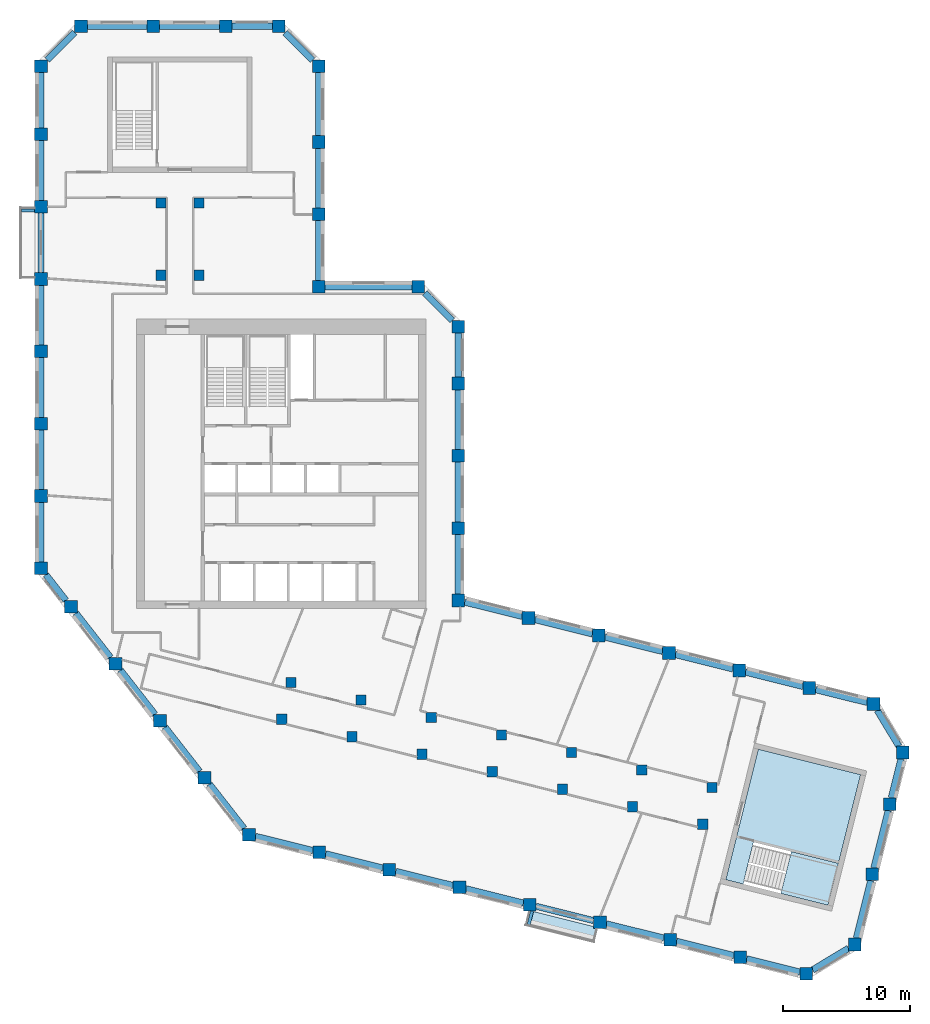
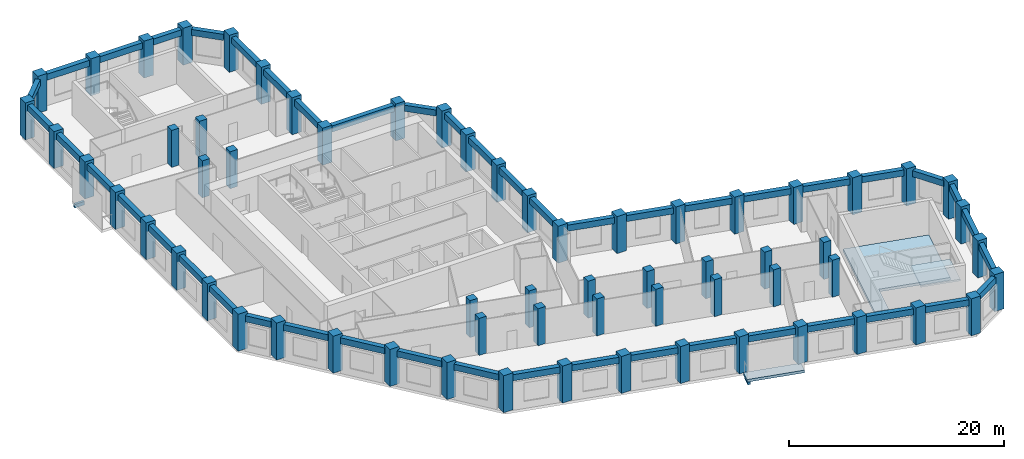
# One storey, part 1 of 9: 63 columns, 47 beams, 3 slabs, 1 element without a shape of its own.
"""IFC4 building model written with IfcOpenShell, lengths in metres."""

from ifc_helpers import new_model, si_unit, direction, frame, origin, origin_2d, place, context, subcontext, project, spatial, polyline, rectangle, outline, extrude, material, layer, layer_set, material_profile, profile_set, type_object, element, aggregate, save


model = new_model("IFC4")

# Units and contexts
model_context = context("Model", 3, precision=1e-05, world=origin(), true_north=direction((0.0, 1.0)))
body_context = subcontext(model_context, "Body", "Model", "MODEL_VIEW")
ifc_project = project(units=[si_unit("LENGTHUNIT", "METRE"), si_unit("AREAUNIT", "SQUARE_METRE"), si_unit("VOLUMEUNIT", "CUBIC_METRE"), si_unit("PLANEANGLEUNIT", "RADIAN"), si_unit("MASSUNIT", "GRAM", prefix="KILO")], contexts=[model_context])

# Site, building, storey
site_placement = place(None, origin())
site = spatial("IfcSite", under=ifc_project, at=site_placement, CompositionType="ELEMENT")
building_placement = place(site_placement, origin())
building = spatial("IfcBuilding", under=site, at=building_placement, Name="Meshkara Civic Tower", CompositionType="ELEMENT")
storey_placement = place(building_placement, frame((0.0, 0.0, 310.800048828125)))
storey = spatial("IfcBuildingStorey", under=building, at=storey_placement, Name="L71", CompositionType="ELEMENT", Elevation=310.800048828125)

# Columns
ifc_material_1 = material(Name="Concrete C60", Category="concrete")
ifc_material_profile_1 = material_profile(ifc_material_1, rectangle(XDim=0.800048828125, YDim=0.800048828125, at=origin_2d()))
ifc_profile_set_1 = profile_set([ifc_material_profile_1], Name="Concrete C60")
column_type_1 = type_object("IfcColumnType", Name="Interior column RC 800x800 C60", PredefinedType="COLUMN", material=ifc_profile_set_1)
for number, where, z_axis, x_axis, name in (
    (1, (9.89990234375, 40.35009765625, 0.0), (0.0, 0.0, 1.0), (1.0, 0.0, 0.0), "Column SA1-04 L71"),
    (2, (9.89990234375, 46.050048828125, 0.0), (0.0, 0.0, 1.0), (1.0, 0.0, 0.0), "Column SA1-05 L71"),
    (3, (12.89990234375, 40.35009765625, 0.0), (0.0, 0.0, 1.0), (1.0, 0.0, 0.0), "Column SA2-04 L71"),
    (4, (12.89990234375, 46.050048828125, 0.0), (0.0, 0.0, 1.0), (1.0, 0.0, 0.0), "Column SA2-05 L71"),
    (5, (19.424072265625, 5.360107421875, 0.0), (0.0, 0.0, 1.0), (1.0, 0.0, 0.0), "Column SB1-00 L71"),
    (6, (24.9541015625, 3.98095703125, 0.0), (0.0, 0.0, 1.0), (1.0, 0.0, 0.0), "Column SB1-01 L71"),
    (7, (30.485107421875, 2.60205078125, 0.0), (0.0, 0.0, 1.0), (1.0, 0.0, 0.0), "Column SB1-02 L71"),
    (8, (36.01611328125, 1.222900390625, 0.0), (0.0, 0.0, 1.0), (1.0, 0.0, 0.0), "Column SB1-03 L71"),
    (9, (41.5458984375, -0.156005859375, 0.0), (0.0, 0.0, 1.0), (1.0, 0.0, 0.0), "Column SB1-04 L71"),
    (10, (47.076904296875, -1.534912109375, 0.0), (0.0, 0.0, 1.0), (1.0, 0.0, 0.0), "Column SB1-05 L71"),
    (11, (52.60791015625, -2.9140625, 0.0), (0.0, 0.0, 1.0), (1.0, 0.0, 0.0), "Column SB1-06 L71"),
    (12, (20.14892578125, 8.27099609375, 0.0), (0.0, 0.0, 1.0), (1.0, 0.0, 0.0), "Column SB2-00 L71"),
    (13, (25.679931640625, 6.89208984375, 0.0), (0.0, 0.0, 1.0), (1.0, 0.0, 0.0), "Column SB2-01 L71"),
    (14, (31.2109375, 5.512939453125, 0.0), (0.0, 0.0, 1.0), (1.0, 0.0, 0.0), "Column SB2-02 L71"),
    (15, (36.741943359375, 4.134033203125, 0.0), (0.0, 0.0, 1.0), (1.0, 0.0, 0.0), "Column SB2-03 L71"),
    (16, (42.27197265625, 2.7548828125, 0.0), (0.0, 0.0, 1.0), (1.0, 0.0, 0.0), "Column SB2-04 L71"),
    (17, (47.802978515625, 1.3759765625, 0.0), (0.0, 0.0, 1.0), (1.0, 0.0, 0.0), "Column SB2-05 L71"),
    (18, (53.333984375, -0.0029296875, 0.0), (0.0, 0.0, 1.0), (1.0, 0.0, 0.0), "Column SB2-06 L71"),
):
    element("IfcColumn", number, at=place(storey_placement, frame(where, z_axis=z_axis, x_axis=x_axis)), inside=storey, type_object=column_type_1, Name=name, PredefinedType="COLUMN", context=body_context, shape_type="SweptSolid", body=[
        extrude(rectangle(XDim=0.800048828125, YDim=0.800048828125, at=origin_2d()), origin(), (0.0, 0.0, 1.0), 4.199951171875),
    ])
ifc_material_2 = material(Name="Concrete C60", Category="concrete")
ifc_material_profile_2 = material_profile(ifc_material_2, rectangle(XDim=1.0, YDim=1.0, at=origin_2d()))
ifc_profile_set_2 = profile_set([ifc_material_profile_2], Name="Concrete C60")
column_type_2 = type_object("IfcColumnType", Name="Perimeter column RC 1000x1000 C60", PredefinedType="COLUMN", material=ifc_profile_set_2)
for number, where, z_axis, x_axis, name in (
    (19, (33.35009765625, 14.718994140625, 0.0), (0.0, 0.0, 1.0), (1.0, 0.0, 0.0), "Column HE00 L71"),
    (20, (33.35009765625, 20.4189453125, 0.0), (0.0, 0.0, 1.0), (1.0, 0.0, 0.0), "Column HE01 L71"),
    (21, (33.35009765625, 26.118896484375, 0.0), (0.0, 0.0, 1.0), (1.0, 0.0, 0.0), "Column HE02 L71"),
    (22, (33.35009765625, 31.819091796875, 0.0), (0.0, 0.0, 1.0), (1.0, 0.0, 0.0), "Column HE03 L71"),
    (23, (33.35009765625, 36.2939453125, 0.0), (0.0, 0.0, 1.0), (1.0, 0.0, 0.0), "Column HEE L71"),
    (24, (30.194091796875, 39.449951171875, 0.0), (0.0, 0.0, 1.0), (1.0, 0.0, 0.0), "Column HCeE L71"),
    (25, (22.35009765625, 39.449951171875, 0.0), (0.0, 0.0, 1.0), (1.0, 0.0, 0.0), "Column HN00 L71"),
    (26, (22.35009765625, 45.14990234375, 0.0), (0.0, 0.0, 1.0), (1.0, 0.0, 0.0), "Column AE01 L71"),
    (27, (22.35009765625, 50.85009765625, 0.0), (0.0, 0.0, 1.0), (1.0, 0.0, 0.0), "Column AE02 L71"),
    (28, (22.35009765625, 56.81396484375, 0.0), (0.0, 0.0, 1.0), (1.0, 0.0, 0.0), "Column AEEP4 L71"),
    (29, (19.194091796875, 59.969970703125, 0.0), (0.0, 0.0, 1.0), (1.0, 0.0, 0.0), "Column ATiEP4 L71"),
    (30, (3.60595703125, 59.969970703125, 0.0), (0.0, 0.0, 1.0), (1.0, 0.0, 0.0), "Column AT00-P4 L71"),
    (31, (9.305908203125, 59.969970703125, 0.0), (0.0, 0.0, 1.0), (1.0, 0.0, 0.0), "Column AT01-P4 L71"),
    (32, (15.006103515625, 59.969970703125, 0.0), (0.0, 0.0, 1.0), (1.0, 0.0, 0.0), "Column AT02-P4 L71"),
    (33, (0.449951171875, 56.81396484375, 0.0), (0.0, 0.0, 1.0), (1.0, 0.0, 0.0), "Column ATo00-P4 L71"),
    (34, (0.449951171875, 17.2548828125, 0.0), (0.0, 0.0, 1.0), (1.0, 0.0, 0.0), "Column AW00 L71"),
    (35, (0.449951171875, 22.955078125, 0.0), (0.0, 0.0, 1.0), (1.0, 0.0, 0.0), "Column AW01 L71"),
    (36, (0.449951171875, 28.655029296875, 0.0), (0.0, 0.0, 1.0), (1.0, 0.0, 0.0), "Column AW02 L71"),
    (37, (0.449951171875, 34.35498046875, 0.0), (0.0, 0.0, 1.0), (1.0, 0.0, 0.0), "Column AW03 L71"),
    (38, (0.449951171875, 40.054931640625, 0.0), (0.0, 0.0, 1.0), (1.0, 0.0, 0.0), "Column AW04 L71"),
    (39, (0.449951171875, 45.7548828125, 0.0), (0.0, 0.0, 1.0), (1.0, 0.0, 0.0), "Column AW05 L71"),
    (40, (0.449951171875, 51.455078125, 0.0), (0.0, 0.0, 1.0), (1.0, 0.0, 0.0), "Column AW06 L71"),
    (41, (16.85107421875, -3.738037109375, 0.0), (0.0, 0.0, 1.0), (1.0, 0.0, 0.0), "Column BOW00 L71"),
    (42, (13.342041015625, 0.75390625, 0.0), (0.0, 0.0, 1.0), (1.0, 0.0, 0.0), "Column BOW01 L71"),
    (43, (9.8330078125, 5.2451171875, 0.0), (0.0, 0.0, 1.0), (1.0, 0.0, 0.0), "Column BOW02 L71"),
    (44, (6.322998046875, 9.737060546875, 0.0), (0.0, 0.0, 1.0), (1.0, 0.0, 0.0), "Column BOW03 L71"),
    (45, (2.81396484375, 14.22900390625, 0.0), (0.0, 0.0, 1.0), (1.0, 0.0, 0.0), "Column BOW04 L71"),
    (46, (22.382080078125, -5.116943359375, 0.0), (0.0, 0.0, 1.0), (1.0, 0.0, 0.0), "Column BS01 L71"),
    (47, (27.912109375, -6.49609375, 0.0), (0.0, 0.0, 1.0), (1.0, 0.0, 0.0), "Column BS02 L71"),
    (48, (33.443115234375, -7.875, 0.0), (0.0, 0.0, 1.0), (1.0, 0.0, 0.0), "Column BS03 L71"),
    (49, (38.97412109375, -9.25390625, 0.0), (0.0, 0.0, 1.0), (1.0, 0.0, 0.0), "Column BS04 L71"),
    (50, (44.50390625, -10.633056640625, 0.0), (0.0, 0.0, 1.0), (1.0, 0.0, 0.0), "Column BS05-P4 L71"),
    (51, (50.034912109375, -12.011962890625, 0.0), (0.0, 0.0, 1.0), (1.0, 0.0, 0.0), "Column BS06-P4 L71"),
    (52, (55.56591796875, -13.389892578125, 0.0), (0.0, 0.0, 1.0), (1.0, 0.0, 0.0), "Column BS07 L71"),
    (53, (60.76611328125, -14.68701171875, 0.0), (0.0, 0.0, 1.0), (1.0, 0.0, 0.0), "Column BSEP4 L71"),
    (54, (64.591064453125, -12.386962890625, 0.0), (0.0, 0.0, 1.0), (1.0, 0.0, 0.0), "Column BToEP4 L71"),
    (55, (65.969970703125, -6.85595703125, 0.0), (0.0, 0.0, 1.0), (1.0, 0.0, 0.0), "Column BT01-P4 L71"),
    (56, (67.34912109375, -1.325927734375, 0.0), (0.0, 0.0, 1.0), (1.0, 0.0, 0.0), "Column BT02-P4 L71"),
    (57, (68.362060546875, 2.736083984375, 0.0), (0.0, 0.0, 1.0), (1.0, 0.0, 0.0), "Column BTEP4 L71"),
    (58, (66.06298828125, 6.56201171875, 0.0), (0.0, 0.0, 1.0), (1.0, 0.0, 0.0), "Column BTi00-P4 L71"),
    (59, (38.881103515625, 13.340087890625, 0.0), (0.0, 0.0, 1.0), (1.0, 0.0, 0.0), "Column BN01 L71"),
    (60, (44.410888671875, 11.9609375, 0.0), (0.0, 0.0, 1.0), (1.0, 0.0, 0.0), "Column BN02 L71"),
    (61, (49.94189453125, 10.58203125, 0.0), (0.0, 0.0, 1.0), (1.0, 0.0, 0.0), "Column BN03 L71"),
    (62, (55.472900390625, 9.202880859375, 0.0), (0.0, 0.0, 1.0), (1.0, 0.0, 0.0), "Column BN04 L71"),
    (63, (61.0029296875, 7.823974609375, 0.0), (0.0, 0.0, 1.0), (1.0, 0.0, 0.0), "Column BN05 L71"),
):
    element("IfcColumn", number, at=place(storey_placement, frame(where, z_axis=z_axis, x_axis=x_axis)), inside=storey, type_object=column_type_2, Name=name, PredefinedType="COLUMN", context=body_context, shape_type="SweptSolid", body=[
        extrude(rectangle(XDim=1.0, YDim=1.0, at=origin_2d()), origin(), (0.0, 0.0, 1.0), 4.199951171875),
    ])

# Beams
ifc_material_3 = material(Name="Concrete C50", Category="concrete")
ifc_material_profile_3 = material_profile(ifc_material_3, rectangle(XDim=0.25, YDim=0.39990234375, at=origin_2d()))
ifc_profile_set_3 = profile_set([ifc_material_profile_3], Name="Concrete C50")
beam_type_1 = type_object("IfcBeamType", Name="Balcony bracket beam RC 250x400 C50", PredefinedType="BEAM", material=ifc_profile_set_3)
beam_1_placement = place(storey_placement, frame((-0.044921875, 45.455078125, -0.5), z_axis=(-1.0, 0.0, 0.0), x_axis=(0.0, -1.0, 0.0)))
element("IfcBeam", 64, at=beam_1_placement, inside=storey, type_object=beam_type_1, Name="Balcony bracket beam", PredefinedType="BEAM", context=body_context, shape_type="SweptSolid", body=[
    extrude(rectangle(XDim=0.25, YDim=0.39990234375, at=origin_2d()), origin(), (0.0, 0.0, 1.0), 1.05517578125),
])
beam_2_placement = place(storey_placement, frame((39.159912109375, -9.7490234375, -0.5), z_axis=(-0.242329403705, -0.970194032192, 0.0), x_axis=(0.970194032192, -0.242329403705, 0.0)))
element("IfcBeam", 65, at=beam_2_placement, inside=storey, type_object=beam_type_1, Name="Balcony bracket beam", PredefinedType="BEAM", context=body_context, shape_type="SweptSolid", body=[
    extrude(rectangle(XDim=0.25, YDim=0.39990234375, at=origin_2d()), origin(), (0.0, 0.0, 1.0), 1.1142578125),
])
ifc_material_4 = material(Name="Concrete C50", Category="concrete")
ifc_material_profile_4 = material_profile(ifc_material_4, rectangle(XDim=0.5, YDim=0.699951171875, at=origin_2d()))
ifc_profile_set_4 = profile_set([ifc_material_profile_4], Name="Concrete C50")
beam_type_2 = type_object("IfcBeamType", Name="Spandrel beam RC 500x700 C50", PredefinedType="BEAM", material=ifc_profile_set_4)
beam_3_placement = place(storey_placement, frame((60.5078125, 7.947509765625, 3.550048828125), z_axis=(-0.970286590806, 0.241958533023, 0.0), x_axis=(-0.241958533023, -0.970286590806, 0.0)))
element("IfcBeam", 66, at=beam_3_placement, inside=storey, type_object=beam_type_2, Name="Spandrel beam BN04-BN05", PredefinedType="BEAM", context=body_context, shape_type="SweptSolid", body=[
    extrude(rectangle(XDim=0.5, YDim=0.699951171875, at=origin_2d()), origin(), (0.0, 0.0, 1.0), 4.6787109375),
])
beam_4_placement = place(storey_placement, frame((54.977783203125, 9.326416015625, 3.550048828125), z_axis=(-0.970298806378, 0.241909541651, 0.0), x_axis=(-0.241909541651, -0.970298806378, 0.0)))
element("IfcBeam", 67, at=beam_4_placement, inside=storey, type_object=beam_type_2, Name="Spandrel beam BN03-BN04", PredefinedType="BEAM", context=body_context, shape_type="SweptSolid", body=[
    extrude(rectangle(XDim=0.5, YDim=0.699951171875, at=origin_2d()), origin(), (0.0, 0.0, 1.0), 4.6796875),
])
beam_5_placement = place(storey_placement, frame((49.447021484375, 10.70556640625, 3.550048828125), z_axis=(-0.970314102262, 0.241848181618, 0.0), x_axis=(-0.241848181618, -0.970314102262, 0.0)))
element("IfcBeam", 68, at=beam_5_placement, inside=storey, type_object=beam_type_2, Name="Spandrel beam BN02-BN03", PredefinedType="BEAM", context=body_context, shape_type="SweptSolid", body=[
    extrude(rectangle(XDim=0.5, YDim=0.699951171875, at=origin_2d()), origin(), (0.0, 0.0, 1.0), 4.679931640625),
])
beam_6_placement = place(storey_placement, frame((43.916015625, 12.08447265625, 3.550048828125), z_axis=(-0.970286590806, 0.241958533023, 0.0), x_axis=(-0.241958533023, -0.970286590806, 0.0)))
element("IfcBeam", 69, at=beam_6_placement, inside=storey, type_object=beam_type_2, Name="Spandrel beam BN01-BN02", PredefinedType="BEAM", context=body_context, shape_type="SweptSolid", body=[
    extrude(rectangle(XDim=0.5, YDim=0.699951171875, at=origin_2d()), origin(), (0.0, 0.0, 1.0), 4.6787109375),
])
beam_7_placement = place(storey_placement, frame((38.385986328125, 13.46337890625, 3.550048828125), z_axis=(-0.970298806378, 0.241909541651, 0.0), x_axis=(-0.241909541651, -0.970298806378, 0.0)))
element("IfcBeam", 70, at=beam_7_placement, inside=storey, type_object=beam_type_2, Name="Spandrel beam BN01-HE00", PredefinedType="BEAM", context=body_context, shape_type="SweptSolid", body=[
    extrude(rectangle(XDim=0.5, YDim=0.699951171875, at=origin_2d()), origin(), (0.0, 0.0, 1.0), 4.6796875),
])
for number, where, z_axis, x_axis, name in (
    (71, (33.35009765625, 15.214111328125, 3.550048828125), (0.0, 1.0, 0.0), (-1.0, 0.0, 0.0), "Spandrel beam HE00-HE01"),
    (72, (33.35009765625, 20.9140625, 3.550048828125), (0.0, 1.0, 0.0), (-1.0, 0.0, 0.0), "Spandrel beam HE01-HE02"),
    (73, (33.35009765625, 26.614013671875, 3.550048828125), (0.0, 1.0, 0.0), (-1.0, 0.0, 0.0), "Spandrel beam HE02-HE03"),
):
    element("IfcBeam", number, at=place(storey_placement, frame(where, z_axis=z_axis, x_axis=x_axis)), inside=storey, type_object=beam_type_2, Name=name, PredefinedType="BEAM", context=body_context, shape_type="SweptSolid", body=[
        extrude(rectangle(XDim=0.5, YDim=0.699951171875, at=origin_2d()), origin(), (0.0, 0.0, 1.0), 4.7099609375),
    ])
beam_8_placement = place(storey_placement, frame((33.35009765625, 32.31396484375, 3.550048828125), z_axis=(0.0, 1.0, 0.0), x_axis=(-1.0, 0.0, 0.0)))
element("IfcBeam", 74, at=beam_8_placement, inside=storey, type_object=beam_type_2, Name="Spandrel beam HE03-HEE", PredefinedType="BEAM", context=body_context, shape_type="SweptSolid", body=[
    extrude(rectangle(XDim=0.5, YDim=0.699951171875, at=origin_2d()), origin(), (0.0, 0.0, 1.0), 3.485107421875),
])
beam_9_placement = place(storey_placement, frame((32.853515625, 36.79052734375, 3.550048828125), z_axis=(-0.707106781187, 0.707106781187, 0.0), x_axis=(-0.707106781187, -0.707106781187, 0.0)))
element("IfcBeam", 75, at=beam_9_placement, inside=storey, type_object=beam_type_2, Name="Spandrel beam HCeE-HEE", PredefinedType="BEAM", context=body_context, shape_type="SweptSolid", body=[
    extrude(rectangle(XDim=0.5, YDim=0.699951171875, at=origin_2d()), origin(), (0.0, 0.0, 1.0), 3.05908203125),
])
beam_10_placement = place(storey_placement, frame((29.698974609375, 39.449951171875, 3.550048828125), z_axis=(-1.0, 0.0, 0.0), x_axis=(0.0, -1.0, 0.0)))
element("IfcBeam", 76, at=beam_10_placement, inside=storey, type_object=beam_type_2, Name="Spandrel beam HCeE-HN00", PredefinedType="BEAM", context=body_context, shape_type="SweptSolid", body=[
    extrude(rectangle(XDim=0.5, YDim=0.699951171875, at=origin_2d()), origin(), (0.0, 0.0, 1.0), 6.85400390625),
])
for number, where, z_axis, x_axis, name in (
    (77, (22.35009765625, 39.945068359375, 3.550048828125), (0.0, 1.0, 0.0), (-1.0, 0.0, 0.0), "Spandrel beam AE01-HN00"),
    (78, (22.35009765625, 45.64501953125, 3.550048828125), (0.0, 1.0, 0.0), (-1.0, 0.0, 0.0), "Spandrel beam AE01-AE02"),
):
    element("IfcBeam", number, at=place(storey_placement, frame(where, z_axis=z_axis, x_axis=x_axis)), inside=storey, type_object=beam_type_2, Name=name, PredefinedType="BEAM", context=body_context, shape_type="SweptSolid", body=[
        extrude(rectangle(XDim=0.5, YDim=0.699951171875, at=origin_2d()), origin(), (0.0, 0.0, 1.0), 4.7099609375),
    ])
beam_11_placement = place(storey_placement, frame((22.35009765625, 51.344970703125, 3.550048828125), z_axis=(0.0, 1.0, 0.0), x_axis=(-1.0, 0.0, 0.0)))
element("IfcBeam", 79, at=beam_11_placement, inside=storey, type_object=beam_type_2, Name="Spandrel beam AE02-AEEP4", PredefinedType="BEAM", context=body_context, shape_type="SweptSolid", body=[
    extrude(rectangle(XDim=0.5, YDim=0.699951171875, at=origin_2d()), origin(), (0.0, 0.0, 1.0), 4.97412109375),
])
beam_12_placement = place(storey_placement, frame((21.853515625, 57.310546875, 3.550048828125), z_axis=(-0.707146686758, 0.707066873363, 0.0), x_axis=(-0.707066873363, -0.707146686758, 0.0)))
element("IfcBeam", 80, at=beam_12_placement, inside=storey, type_object=beam_type_2, Name="Spandrel beam AEEP4-ATiEP4", PredefinedType="BEAM", context=body_context, shape_type="SweptSolid", body=[
    extrude(rectangle(XDim=0.5, YDim=0.699951171875, at=origin_2d()), origin(), (0.0, 0.0, 1.0), 3.058837890625),
])
beam_13_placement = place(storey_placement, frame((18.698974609375, 59.969970703125, 3.550048828125), z_axis=(-1.0, 0.0, 0.0), x_axis=(0.0, -1.0, 0.0)))
element("IfcBeam", 81, at=beam_13_placement, inside=storey, type_object=beam_type_2, Name="Spandrel beam AT02-P4-ATiEP4", PredefinedType="BEAM", context=body_context, shape_type="SweptSolid", body=[
    extrude(rectangle(XDim=0.5, YDim=0.699951171875, at=origin_2d()), origin(), (0.0, 0.0, 1.0), 3.197998046875),
])
for number, where, z_axis, x_axis, name in (
    (82, (14.510986328125, 59.969970703125, 3.550048828125), (-1.0, 0.0, 0.0), (0.0, -1.0, 0.0), "Spandrel beam AT01-P4-AT02-P4"),
    (83, (8.81103515625, 59.969970703125, 3.550048828125), (-1.0, 0.0, 0.0), (0.0, -1.0, 0.0), "Spandrel beam AT00-P4-AT01-P4"),
):
    element("IfcBeam", number, at=place(storey_placement, frame(where, z_axis=z_axis, x_axis=x_axis)), inside=storey, type_object=beam_type_2, Name=name, PredefinedType="BEAM", context=body_context, shape_type="SweptSolid", body=[
        extrude(rectangle(XDim=0.5, YDim=0.699951171875, at=origin_2d()), origin(), (0.0, 0.0, 1.0), 4.7099609375),
    ])
beam_14_placement = place(storey_placement, frame((3.109619140625, 59.473388671875, 3.550048828125), z_axis=(-0.707146686758, -0.707066873363, 0.0), x_axis=(0.707066873363, -0.707146686758, 0.0)))
element("IfcBeam", 84, at=beam_14_placement, inside=storey, type_object=beam_type_2, Name="Spandrel beam AT00-P4-ATo00-P4", PredefinedType="BEAM", context=body_context, shape_type="SweptSolid", body=[
    extrude(rectangle(XDim=0.5, YDim=0.699951171875, at=origin_2d()), origin(), (0.0, 0.0, 1.0), 3.058837890625),
])
beam_15_placement = place(storey_placement, frame((0.449951171875, 56.319091796875, 3.550048828125), z_axis=(0.0, -1.0, 0.0), x_axis=(1.0, 0.0, 0.0)))
element("IfcBeam", 85, at=beam_15_placement, inside=storey, type_object=beam_type_2, Name="Spandrel beam ATo00-P4-AW06", PredefinedType="BEAM", context=body_context, shape_type="SweptSolid", body=[
    extrude(rectangle(XDim=0.5, YDim=0.699951171875, at=origin_2d()), origin(), (0.0, 0.0, 1.0), 4.369140625),
])
for number, where, z_axis, x_axis, name in (
    (86, (0.449951171875, 50.9599609375, 3.550048828125), (0.0, -1.0, 0.0), (1.0, 0.0, 0.0), "Spandrel beam AW05-AW06"),
    (87, (0.449951171875, 45.260009765625, 3.550048828125), (0.0, -1.0, 0.0), (1.0, 0.0, 0.0), "Spandrel beam AW04-AW05"),
    (88, (0.449951171875, 39.56005859375, 3.550048828125), (0.0, -1.0, 0.0), (1.0, 0.0, 0.0), "Spandrel beam AW03-AW04"),
):
    element("IfcBeam", number, at=place(storey_placement, frame(where, z_axis=z_axis, x_axis=x_axis)), inside=storey, type_object=beam_type_2, Name=name, PredefinedType="BEAM", context=body_context, shape_type="SweptSolid", body=[
        extrude(rectangle(XDim=0.5, YDim=0.699951171875, at=origin_2d()), origin(), (0.0, 0.0, 1.0), 4.7099609375),
    ])
beam_16_placement = place(storey_placement, frame((0.449951171875, 33.860107421875, 3.550048828125), z_axis=(0.0, -1.0, 0.0), x_axis=(1.0, 0.0, 0.0)))
element("IfcBeam", 89, at=beam_16_placement, inside=storey, type_object=beam_type_2, Name="Spandrel beam AW02-AW03", PredefinedType="BEAM", context=body_context, shape_type="SweptSolid", body=[
    extrude(rectangle(XDim=0.5, YDim=0.699951171875, at=origin_2d()), origin(), (0.0, 0.0, 1.0), 4.710205078125),
])
for number, where, z_axis, x_axis, name in (
    (90, (0.449951171875, 28.159912109375, 3.550048828125), (0.0, -1.0, 0.0), (1.0, 0.0, 0.0), "Spandrel beam AW01-AW02"),
    (91, (0.449951171875, 22.4599609375, 3.550048828125), (0.0, -1.0, 0.0), (1.0, 0.0, 0.0), "Spandrel beam AW00-AW01"),
):
    element("IfcBeam", number, at=place(storey_placement, frame(where, z_axis=z_axis, x_axis=x_axis)), inside=storey, type_object=beam_type_2, Name=name, PredefinedType="BEAM", context=body_context, shape_type="SweptSolid", body=[
        extrude(rectangle(XDim=0.5, YDim=0.699951171875, at=origin_2d()), origin(), (0.0, 0.0, 1.0), 4.7099609375),
    ])
beam_17_placement = place(storey_placement, frame((0.83740234375, 16.7587890625, 3.550048828125), z_axis=(0.615713794912, -0.787969874269, 0.0), x_axis=(0.787969874269, 0.615713794912, 0.0)))
element("IfcBeam", 92, at=beam_17_placement, inside=storey, type_object=beam_type_2, Name="Spandrel beam AW00-BOW04", PredefinedType="BEAM", context=body_context, shape_type="SweptSolid", body=[
    extrude(rectangle(XDim=0.5, YDim=0.699951171875, at=origin_2d()), origin(), (0.0, 0.0, 1.0), 2.580810546875),
])
beam_18_placement = place(storey_placement, frame((3.201416015625, 13.73291015625, 3.550048828125), z_axis=(0.615636574491, -0.788030207637, 0.0), x_axis=(0.788030207637, 0.615636574491, 0.0)))
element("IfcBeam", 93, at=beam_18_placement, inside=storey, type_object=beam_type_2, Name="Spandrel beam BOW03-BOW04", PredefinedType="BEAM", context=body_context, shape_type="SweptSolid", body=[
    extrude(rectangle(XDim=0.5, YDim=0.699951171875, at=origin_2d()), origin(), (0.0, 0.0, 1.0), 4.441162109375),
])
beam_19_placement = place(storey_placement, frame((6.710693359375, 9.240966796875, 3.550048828125), z_axis=(0.615704842432, -0.787976869588, 0.0), x_axis=(0.787976869588, 0.615704842432, 0.0)))
element("IfcBeam", 94, at=beam_19_placement, inside=storey, type_object=beam_type_2, Name="Spandrel beam BOW02-BOW03", PredefinedType="BEAM", context=body_context, shape_type="SweptSolid", body=[
    extrude(rectangle(XDim=0.5, YDim=0.699951171875, at=origin_2d()), origin(), (0.0, 0.0, 1.0), 4.44140625),
])
beam_20_placement = place(storey_placement, frame((10.220703125, 4.748779296875, 3.550048828125), z_axis=(0.615674985547, -0.788000198078, 0.0), x_axis=(0.788000198078, 0.615674985547, 0.0)))
element("IfcBeam", 95, at=beam_20_placement, inside=storey, type_object=beam_type_2, Name="Spandrel beam BOW01-BOW02", PredefinedType="BEAM", context=body_context, shape_type="SweptSolid", body=[
    extrude(rectangle(XDim=0.5, YDim=0.699951171875, at=origin_2d()), origin(), (0.0, 0.0, 1.0), 4.440185546875),
])
beam_21_placement = place(storey_placement, frame((13.7294921875, 0.2578125, 3.550048828125), z_axis=(0.615602435322, -0.788056877151, 0.0), x_axis=(0.788056877151, 0.615602435322, 0.0)))
element("IfcBeam", 96, at=beam_21_placement, inside=storey, type_object=beam_type_2, Name="Spandrel beam BOW00-BOW01", PredefinedType="BEAM", context=body_context, shape_type="SweptSolid", body=[
    extrude(rectangle(XDim=0.5, YDim=0.699951171875, at=origin_2d()), origin(), (0.0, 0.0, 1.0), 4.44091796875),
])
beam_22_placement = place(storey_placement, frame((17.34619140625, -3.861572265625, 3.550048828125), z_axis=(0.970311050729, -0.24186042428, 0.0), x_axis=(0.24186042428, 0.970311050729, 0.0)))
element("IfcBeam", 97, at=beam_22_placement, inside=storey, type_object=beam_type_2, Name="Spandrel beam BOW00-BS01", PredefinedType="BEAM", context=body_context, shape_type="SweptSolid", body=[
    extrude(rectangle(XDim=0.5, YDim=0.699951171875, at=origin_2d()), origin(), (0.0, 0.0, 1.0), 4.6796875),
])
beam_23_placement = place(storey_placement, frame((22.877197265625, -5.240478515625, 3.550048828125), z_axis=(0.970286590806, -0.241958533023, 0.0), x_axis=(0.241958533023, 0.970286590806, 0.0)))
element("IfcBeam", 98, at=beam_23_placement, inside=storey, type_object=beam_type_2, Name="Spandrel beam BS01-BS02", PredefinedType="BEAM", context=body_context, shape_type="SweptSolid", body=[
    extrude(rectangle(XDim=0.5, YDim=0.699951171875, at=origin_2d()), origin(), (0.0, 0.0, 1.0), 4.6787109375),
])
for number, where, z_axis, x_axis, name in (
    (99, (28.406982421875, -6.619384765625, 3.550048828125), (0.970301859111, -0.241897296812, 0.0), (0.241897296812, 0.970301859111, 0.0), "Spandrel beam BS02-BS03"),
    (100, (33.93798828125, -7.99853515625, 3.550048828125), (0.970301859111, -0.241897296812, 0.0), (0.241897296812, 0.970301859111, 0.0), "Spandrel beam BS03-BS04"),
):
    element("IfcBeam", number, at=place(storey_placement, frame(where, z_axis=z_axis, x_axis=x_axis)), inside=storey, type_object=beam_type_2, Name=name, PredefinedType="BEAM", context=body_context, shape_type="SweptSolid", body=[
        extrude(rectangle(XDim=0.5, YDim=0.699951171875, at=origin_2d()), origin(), (0.0, 0.0, 1.0), 4.679931640625),
    ])
beam_24_placement = place(storey_placement, frame((39.468994140625, -9.37744140625, 3.550048828125), z_axis=(0.970286590806, -0.241958533023, 0.0), x_axis=(0.241958533023, 0.970286590806, 0.0)))
element("IfcBeam", 101, at=beam_24_placement, inside=storey, type_object=beam_type_2, Name="Spandrel beam BS04-BS05-P4", PredefinedType="BEAM", context=body_context, shape_type="SweptSolid", body=[
    extrude(rectangle(XDim=0.5, YDim=0.699951171875, at=origin_2d()), origin(), (0.0, 0.0, 1.0), 4.6787109375),
])
beam_25_placement = place(storey_placement, frame((44.9990234375, -10.756591796875, 3.550048828125), z_axis=(0.970311050729, -0.24186042428, 0.0), x_axis=(0.24186042428, 0.970311050729, 0.0)))
element("IfcBeam", 102, at=beam_25_placement, inside=storey, type_object=beam_type_2, Name="Spandrel beam BS05-P4-BS06-P4", PredefinedType="BEAM", context=body_context, shape_type="SweptSolid", body=[
    extrude(rectangle(XDim=0.5, YDim=0.699951171875, at=origin_2d()), origin(), (0.0, 0.0, 1.0), 4.6796875),
])
beam_26_placement = place(storey_placement, frame((50.530029296875, -12.135498046875, 3.550048828125), z_axis=(0.970347770718, -0.241713061011, 0.0), x_axis=(0.241713061011, 0.970347770718, 0.0)))
element("IfcBeam", 103, at=beam_26_placement, inside=storey, type_object=beam_type_2, Name="Spandrel beam BS06-P4-BS07", PredefinedType="BEAM", context=body_context, shape_type="SweptSolid", body=[
    extrude(rectangle(XDim=0.5, YDim=0.699951171875, at=origin_2d()), origin(), (0.0, 0.0, 1.0), 4.679443359375),
])
beam_27_placement = place(storey_placement, frame((56.06103515625, -13.513427734375, 3.550048828125), z_axis=(0.970274749447, -0.242006013533, 0.0), x_axis=(0.242006013533, 0.970274749447, 0.0)))
element("IfcBeam", 104, at=beam_27_placement, inside=storey, type_object=beam_type_2, Name="Spandrel beam BS07-BSEP4", PredefinedType="BEAM", context=body_context, shape_type="SweptSolid", body=[
    extrude(rectangle(XDim=0.5, YDim=0.699951171875, at=origin_2d()), origin(), (0.0, 0.0, 1.0), 4.3388671875),
])
beam_28_placement = place(storey_placement, frame((61.26171875, -14.388916015625, 3.550048828125), z_axis=(0.856990838189, 0.515331643953, 0.0), x_axis=(-0.515331643953, 0.856990838189, 0.0)))
element("IfcBeam", 105, at=beam_28_placement, inside=storey, type_object=beam_type_2, Name="Spandrel beam BSEP4-BToEP4", PredefinedType="BEAM", context=body_context, shape_type="SweptSolid", body=[
    extrude(rectangle(XDim=0.5, YDim=0.699951171875, at=origin_2d()), origin(), (0.0, 0.0, 1.0), 3.306396484375),
])
beam_29_placement = place(storey_placement, frame((64.714599609375, -11.891845703125, 3.550048828125), z_axis=(0.24186042428, 0.970311050729, 0.0), x_axis=(-0.970311050729, 0.24186042428, 0.0)))
element("IfcBeam", 106, at=beam_29_placement, inside=storey, type_object=beam_type_2, Name="Spandrel beam BT01-P4-BToEP4", PredefinedType="BEAM", context=body_context, shape_type="SweptSolid", body=[
    extrude(rectangle(XDim=0.5, YDim=0.699951171875, at=origin_2d()), origin(), (0.0, 0.0, 1.0), 4.6796875),
])
beam_30_placement = place(storey_placement, frame((66.093505859375, -6.36083984375, 3.550048828125), z_axis=(0.241958533023, 0.970286590806, 0.0), x_axis=(-0.970286590806, 0.241958533023, 0.0)))
element("IfcBeam", 107, at=beam_30_placement, inside=storey, type_object=beam_type_2, Name="Spandrel beam BT01-P4-BT02-P4", PredefinedType="BEAM", context=body_context, shape_type="SweptSolid", body=[
    extrude(rectangle(XDim=0.5, YDim=0.699951171875, at=origin_2d()), origin(), (0.0, 0.0, 1.0), 4.6787109375),
])
beam_31_placement = place(storey_placement, frame((67.472412109375, -0.830810546875, 3.550048828125), z_axis=(0.241991235859, 0.970278435176, 0.0), x_axis=(-0.970278435176, 0.241991235859, 0.0)))
element("IfcBeam", 108, at=beam_31_placement, inside=storey, type_object=beam_type_2, Name="Spandrel beam BT02-P4-BTEP4", PredefinedType="BEAM", context=body_context, shape_type="SweptSolid", body=[
    extrude(rectangle(XDim=0.5, YDim=0.699951171875, at=origin_2d()), origin(), (0.0, 0.0, 1.0), 3.165771484375),
])
beam_32_placement = place(storey_placement, frame((68.064208984375, 3.231689453125, 3.550048828125), z_axis=(-0.515060169575, 0.8571540245, 0.0), x_axis=(-0.8571540245, -0.515060169575, 0.0)))
element("IfcBeam", 109, at=beam_32_placement, inside=storey, type_object=beam_type_2, Name="Spandrel beam BTEP4-BTi00-P4", PredefinedType="BEAM", context=body_context, shape_type="SweptSolid", body=[
    extrude(rectangle(XDim=0.5, YDim=0.699951171875, at=origin_2d()), origin(), (0.0, 0.0, 1.0), 3.30712890625),
])
beam_33_placement = place(storey_placement, frame((65.56787109375, 6.685546875, 3.550048828125), z_axis=(-0.970286131512, 0.241960374847, 0.0), x_axis=(-0.241960374847, -0.970286131512, 0.0)))
element("IfcBeam", 110, at=beam_33_placement, inside=storey, type_object=beam_type_2, Name="Spandrel beam BN05-BTi00-P4", PredefinedType="BEAM", context=body_context, shape_type="SweptSolid", body=[
    extrude(rectangle(XDim=0.5, YDim=0.699951171875, at=origin_2d()), origin(), (0.0, 0.0, 1.0), 4.1943359375),
])

# Slabs
ifc_material_5 = material(Name="Concrete C40", Category="concrete")
ifc_layer_1 = layer(ifc_material_5, 0.300048828125)
ifc_layer_set_1 = layer_set([ifc_layer_1], Name="BALCONY SLAB")
slab_type_1 = type_object("IfcSlabType", Name="BALCONY SLAB", PredefinedType="FLOOR", material=ifc_layer_set_1)
slab_1_placement = place(storey_placement, frame((0.0, 0.0, -0.300048828125)))
element("IfcSlab", 111, at=slab_1_placement, inside=storey, type_object=slab_type_1, Name="Balcony slab", PredefinedType="FLOOR", context=body_context, shape_type="SweptSolid", body=[
    extrude(outline(polyline([(44.047119140625, -12.218994140625), (38.633056640625, -10.868896484375), (38.910888671875, -9.75390625), (39.1201171875, -9.75390625), (44.00390625, -10.971923828125), (44.00390625, -11.133056640625), (44.31689453125, -11.133056640625), (44.047119140625, -12.218994140625)])), origin(), (0.0, 0.0, 1.0), 0.300048828125),
])
ifc_material_6 = material(Name="Concrete C40/50", Category="concrete")
ifc_layer_2 = layer(ifc_material_6, 0.300048828125)
ifc_layer_set_2 = layer_set([ifc_layer_2], Name="Core floor slab 300 C40/50")
slab_type_2 = type_object("IfcSlabType", Name="Core floor slab 300 C40/50", PredefinedType="FLOOR", material=ifc_layer_set_2)
slab_2_placement = place(storey_placement, frame((0.0, 0.0, -0.300048828125)))
element("IfcSlab", 112, at=slab_2_placement, inside=storey, type_object=slab_type_2, Name="Core floor EB", PredefinedType="FLOOR", context=body_context, shape_type="SweptSolid", body=[
    extrude(outline(polyline([(56.989013671875, 3.002197265625), (65.04248046875, 0.994384765625), (63.30078125, -5.99169921875), (56.607177734375, -4.322998046875), (55.78466796875, -7.621826171875), (54.4248046875, -7.282958984375), (56.989013671875, 3.002197265625)])), origin(), (0.0, 0.0, 1.0), 0.300048828125),
])

# Stair, slab
ifc_material_7 = material(Name="Precast concrete C40/50", Category="concrete")
stair_type = type_object("IfcStairType", Name="Exit stair half-turn 24 risers precast", PredefinedType="HALF_TURN_STAIR", material=ifc_material_7)
stair_placement = place(storey_placement, origin())
stair = element("IfcStair", 113, at=stair_placement, inside=storey, type_object=stair_type, Name="L71 exit stair B from L65", PredefinedType="HALF_TURN_STAIR")
ifc_material_8 = material(Name="Precast concrete C40/50", Category="concrete")
ifc_layer_3 = layer(ifc_material_8, 0.199951171875)
ifc_layer_set_3 = layer_set([ifc_layer_3], Name="Exit stair landing 200")
slab_type_3 = type_object("IfcSlabType", Name="Exit stair landing 200", PredefinedType="LANDING", material=ifc_layer_set_3)
slab_3_placement = place(storey_placement, frame((0.0, 0.0, 1.89990234375)))
slab_3 = element("IfcSlab", 114, at=slab_3_placement, type_object=slab_type_3, Name="ESB5 landing 1", PredefinedType="LANDING", context=body_context, shape_type="SweptSolid", body=[
    extrude(outline(polyline([(58.769775390625, -8.366943359375), (62.477783203125, -9.2919921875), (63.301025390625, -5.991943359375), (59.593017578125, -5.06689453125), (58.769775390625, -8.366943359375)])), origin(), (0.0, 0.0, 1.0), 0.199951171875),
])
aggregate(stair, [slab_3])

save(model, "model.ifc")
